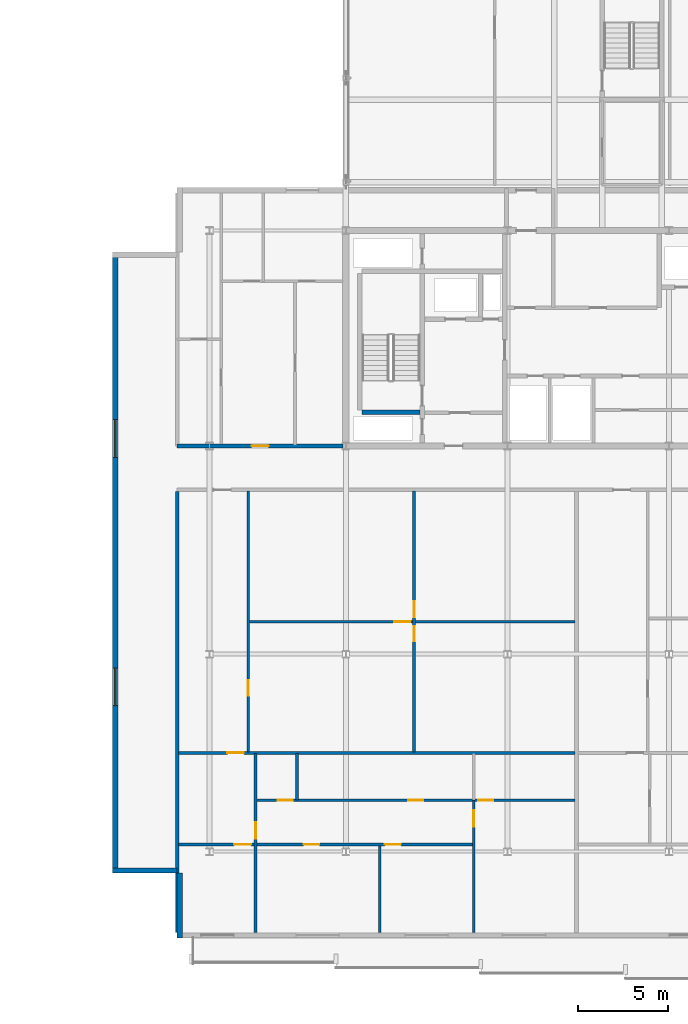
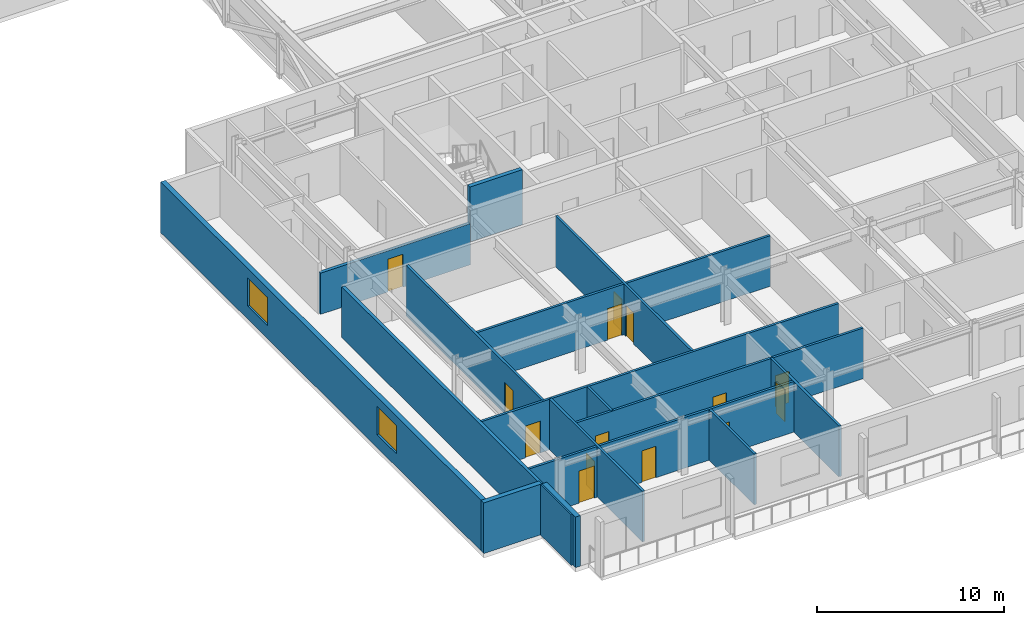
# One storey, part 17 of 36: 16 walls, 14 doors, 2 windows, 16 openings.
"""IFC4 building model written with IfcOpenShell, lengths in metres."""

from ifc_helpers import new_model, si_unit, direction, frame, frame_2d, origin, place, context, subcontext, project, spatial, rectangle, extrude, material, layer, layer_set, type_object, element, fill, save


model = new_model("IFC4")

# Units and contexts
model_context = context("Model", 3, precision=1e-05, world=origin(), true_north=direction((0.0, 1.0)))
body_context = subcontext(model_context, "Body", "Model", "MODEL_VIEW")
ifc_project = project(units=[si_unit("LENGTHUNIT", "METRE"), si_unit("AREAUNIT", "SQUARE_METRE"), si_unit("VOLUMEUNIT", "CUBIC_METRE"), si_unit("PLANEANGLEUNIT", "RADIAN"), si_unit("MASSUNIT", "GRAM", prefix="KILO")], contexts=[model_context])

# Site, building, storey
site_placement = place(None, origin())
site = spatial("IfcSite", under=ifc_project, at=site_placement, CompositionType="ELEMENT")
building_placement = place(site_placement, origin())
building = spatial("IfcBuilding", under=site, at=building_placement, Name="Korimba Cascade Residences", CompositionType="ELEMENT")
storey_placement = place(building_placement, frame((0.0, 0.0, 139.300048828125)))
storey = spatial("IfcBuildingStorey", under=building, at=storey_placement, Name="L40", CompositionType="ELEMENT", Elevation=139.300048828125)

# Wall, openings, windows
ifc_material_1 = material(Name="Precast concrete C40/50", Category="concrete")
ifc_layer_1 = layer(ifc_material_1, 0.300048828125)
ifc_layer_set_1 = layer_set([ifc_layer_1], Name="Precast concrete C40/50")
wall_type_1 = type_object("IfcWallType", Name="EW-STONE-300", PredefinedType="STANDARD", material=ifc_layer_set_1)
wall_1_placement = place(storey_placement, frame((69.25, 29.199951171875, 0.0), z_axis=(0.0, 0.0, 1.0), x_axis=(0.0, -1.0, 0.0)))
wall_1 = element("IfcWall", 1, at=wall_1_placement, inside=storey, type_object=wall_type_1, Name="L40 T2 Perimeter Stone Wall E09", PredefinedType="STANDARD", context=body_context, shape_type="SweptSolid", body=[
    extrude(rectangle(XDim=34.599853515625, YDim=0.300048828125, at=frame_2d((17.2998046875, 0.0))), origin(), (0.0, 0.0, 1.0), 3.31005859375),
])
opening_1_placement = place(wall_1_placement, frame((9.330078125, 0.0, 0.85009765625)))
opening_1 = element("IfcOpeningElement", 2, at=opening_1_placement, cuts=wall_1, Name="Opening W-03", PredefinedType="OPENING", context=body_context, shape_type="SweptSolid", body=[
    extrude(rectangle(XDim=2.10009765625, YDim=1.85009765625, at=frame_2d((1.050048828125, 0.925048828125))), frame((0.0, 0.16015625, 0.0), z_axis=(0.0, -1.0, 0.0), x_axis=(1.0, 0.0, 0.0)), (0.0, 0.0, 1.0), 0.320068359375),
])
opening_2_placement = place(wall_1_placement, frame((23.169921875, 0.0, 0.85009765625)))
opening_2 = element("IfcOpeningElement", 3, at=opening_2_placement, cuts=wall_1, Name="Opening W-03", PredefinedType="OPENING", context=body_context, shape_type="SweptSolid", body=[
    extrude(rectangle(XDim=2.10009765625, YDim=1.85009765625, at=frame_2d((1.050048828125, 0.925048828125))), frame((0.0, 0.16015625, 0.0), z_axis=(0.0, -1.0, 0.0), x_axis=(1.0, 0.0, 0.0)), (0.0, 0.0, 1.0), 0.320068359375),
])
ifc_material_2 = material(Name="Double-Glazed Aluminium Window", Category="aluminium")
window_type = type_object("IfcWindowType", Name="WIN-CRN-2100", PartitioningType="DOUBLE_PANEL_HORIZONTAL", PredefinedType="WINDOW", material=ifc_material_2)
window_1_placement = place(opening_1_placement, origin())
window_1 = element("IfcWindow", 4, at=window_1_placement, inside=storey, type_object=window_type, Name="L40 T2 End View Window 9.1", OverallHeight=1.85009765625, OverallWidth=2.10009765625, PartitioningType="DOUBLE_PANEL_HORIZONTAL", PredefinedType="WINDOW", context=body_context, shape_type="SweptSolid", body=[
    extrude(rectangle(XDim=2.10009765625, YDim=1.85009765625, at=frame_2d((1.050048828125, 0.925048828125))), frame((0.0, 0.030029296875, 0.0), z_axis=(0.0, -1.0, 0.0), x_axis=(1.0, 0.0, 0.0)), (0.0, 0.0, 1.0), 0.06005859375),
])
fill(opening_1, window_1)
window_2_placement = place(opening_2_placement, origin())
window_2 = element("IfcWindow", 5, at=window_2_placement, inside=storey, type_object=window_type, Name="L40 T2 End View Window 9.2", OverallHeight=1.85009765625, OverallWidth=2.10009765625, PartitioningType="DOUBLE_PANEL_HORIZONTAL", PredefinedType="WINDOW", context=body_context, shape_type="SweptSolid", body=[
    extrude(rectangle(XDim=2.10009765625, YDim=1.85009765625, at=frame_2d((1.050048828125, 0.925048828125))), frame((0.0, 0.030029296875, 0.0), z_axis=(0.0, -1.0, 0.0), x_axis=(1.0, 0.0, 0.0)), (0.0, 0.0, 1.0), 0.06005859375),
])
fill(opening_2, window_2)

# Walls
wall_2_placement = place(storey_placement, frame((69.10009765625, -5.25, 0.0), z_axis=(0.0, 0.0, 1.0), x_axis=(1.0, 0.0, 0.0)))
element("IfcWall", 6, at=wall_2_placement, inside=storey, type_object=wall_type_1, Name="L40 T2 Perimeter Stone Wall E10", PredefinedType="STANDARD", context=body_context, shape_type="SweptSolid", body=[
    extrude(rectangle(XDim=3.599853515625, YDim=0.300048828125, at=frame_2d((1.7998046875, 0.0))), origin(), (0.0, 0.0, 1.0), 3.31005859375),
])
wall_3_placement = place(storey_placement, frame((72.85009765625, -5.39990234375, 0.0), z_axis=(0.0, 0.0, 1.0), x_axis=(0.0, -1.0, 0.0)))
element("IfcWall", 7, at=wall_3_placement, inside=storey, type_object=wall_type_1, Name="L40 T2 Perimeter Stone Wall E11", PredefinedType="STANDARD", context=body_context, shape_type="SweptSolid", body=[
    extrude(rectangle(XDim=3.60009765625, YDim=0.300048828125, at=frame_2d((1.800048828125, 0.0))), origin(), (0.0, 0.0, 1.0), 3.31005859375),
])

# Wall, opening, door
ifc_layer_2 = layer(ifc_material_1, 0.199951171875)
ifc_layer_set_2 = layer_set([ifc_layer_2], Name="Precast concrete C40/50")
wall_type_2 = type_object("IfcWallType", Name="WAL-IT-200", PredefinedType="PARTITIONING", material=ifc_layer_set_2)
wall_4_placement = place(storey_placement, frame((72.699951171875, 18.39990234375, 0.0), z_axis=(0.0, 0.0, 1.0), x_axis=(1.0, 0.0, 0.0)))
wall_4 = element("IfcWall", 8, at=wall_4_placement, inside=storey, type_object=wall_type_2, Name="L40 Partition Wall WAL-L40-T2-FW-S", PredefinedType="PARTITIONING", context=body_context, shape_type="SweptSolid", body=[
    extrude(rectangle(XDim=9.25, YDim=0.199951171875, at=frame_2d((4.625, 0.0))), origin(), (0.0, 0.0, 1.0), 2.69775390625),
])
opening_3_placement = place(wall_4_placement, frame((4.14990234375, 0.0, 0.0)))
opening_3 = element("IfcOpeningElement", 9, at=opening_3_placement, cuts=wall_4, Name="Opening D-UN1", PredefinedType="OPENING", context=body_context, shape_type="SweptSolid", body=[
    extrude(rectangle(XDim=0.949951171875, YDim=2.14990234375, at=frame_2d((0.47509765625, 1.074951171875))), frame((0.0, 0.10986328125, 0.0), z_axis=(0.0, -1.0, 0.0), x_axis=(1.0, 0.0, 0.0)), (0.0, 0.0, 1.0), 0.219970703125),
])
ifc_material_3 = material(Name="Fire-Rated Hardwood Apartment Entrance Door", Category="wood")
door_type_1 = type_object("IfcDoorType", Name="DR-FD60-950", OperationType="NOTDEFINED", PredefinedType="DOOR", material=ifc_material_3)
door_1_placement = place(opening_3_placement, origin())
door_1 = element("IfcDoor", 10, at=door_1_placement, inside=storey, type_object=door_type_1, Name="L40-T2-FW Entrance Door", OperationType="SINGLE_SWING_LEFT", OverallHeight=2.14990234375, OverallWidth=0.949951171875, PredefinedType="DOOR", context=body_context, shape_type="SweptSolid", body=[
    extrude(rectangle(XDim=0.949951171875, YDim=2.14990234375, at=frame_2d((0.47509765625, 1.074951171875))), frame((0.0, 0.02490234375, 0.0), z_axis=(0.0, -1.0, 0.0), x_axis=(1.0, 0.0, 0.0)), (0.0, 0.0, 1.0), 0.050048828125),
])
fill(opening_3, door_1)

# Wall
wall_5_placement = place(storey_placement, frame((72.699951171875, -8.699951171875, 0.0), z_axis=(0.0, 0.0, 1.0), x_axis=(0.0, 1.0, 0.0)))
element("IfcWall", 11, at=wall_5_placement, inside=storey, type_object=wall_type_2, Name="L40 Partition Wall WAL-L40-T2-BNDWL", PredefinedType="PARTITIONING", context=body_context, shape_type="SweptSolid", body=[
    extrude(rectangle(XDim=24.570068359375, YDim=0.199951171875, at=frame_2d((12.28515625, 0.0))), origin(), (0.0, 0.0, 1.0), 3.31005859375),
])

# Wall, openings, doors
ifc_material_4 = material(Name="Insulated Acoustic Stud Partition", Category="gypsum")
ifc_layer_3 = layer(ifc_material_4, 0.14990234375)
ifc_layer_set_3 = layer_set([ifc_layer_3], Name="Insulated Acoustic Stud Partition")
wall_type_3 = type_object("IfcWallType", Name="WAL-PART-150", PredefinedType="PARTITIONING", material=ifc_layer_set_3)
wall_6_placement = place(storey_placement, frame((85.89990234375, 1.340087890625, 0.0), z_axis=(0.0, 0.0, 1.0), x_axis=(0.0, 1.0, 0.0)))
wall_6 = element("IfcWall", 12, at=wall_6_placement, inside=storey, type_object=wall_type_3, Name="L40 Partition Wall WAL-L40-T2-U01-FMV", PredefinedType="PARTITIONING", context=body_context, shape_type="SweptSolid", body=[
    extrude(rectangle(XDim=14.5498046875, YDim=0.14990234375, at=frame_2d((7.27490234375, 0.0))), origin(), (0.0, 0.0, 1.0), 3.31005859375),
])
opening_4_placement = place(wall_6_placement, frame((6.18505859375, 0.0, 0.0)))
opening_4 = element("IfcOpeningElement", 13, at=opening_4_placement, cuts=wall_6, Name="Opening D-BT1", PredefinedType="OPENING", context=body_context, shape_type="SweptSolid", body=[
    extrude(rectangle(XDim=0.840087890625, YDim=2.0400390625, at=frame_2d((0.419921875, 1.02001953125))), frame((0.0, 0.0849609375, 0.0), z_axis=(0.0, -1.0, 0.0), x_axis=(1.0, 0.0, 0.0)), (0.0, 0.0, 1.0), 0.169921875),
])
opening_5_placement = place(wall_6_placement, frame((7.52490234375, 0.0, 0.0)))
opening_5 = element("IfcOpeningElement", 14, at=opening_5_placement, cuts=wall_6, Name="Opening D-IN2", PredefinedType="OPENING", context=body_context, shape_type="SweptSolid", body=[
    extrude(rectangle(XDim=0.8798828125, YDim=2.06005859375, at=frame_2d((0.43994140625, 1.030029296875))), frame((0.0, 0.0849609375, 0.0), z_axis=(0.0, -1.0, 0.0), x_axis=(1.0, 0.0, 0.0)), (0.0, 0.0, 1.0), 0.169921875),
])
ifc_material_5 = material(Name="Moisture-Resistant Bathroom Timber Door", Category="wood")
door_type_2 = type_object("IfcDoorType", Name="DR-INT-850", OperationType="NOTDEFINED", PredefinedType="DOOR", material=ifc_material_5)
door_2_placement = place(opening_4_placement, origin())
door_2 = element("IfcDoor", 15, at=door_2_placement, inside=storey, type_object=door_type_2, Name="L40-T2-U01 Wardrobe Door", OperationType="SINGLE_SWING_RIGHT", OverallHeight=2.0400390625, OverallWidth=0.840087890625, PredefinedType="DOOR", context=body_context, shape_type="SweptSolid", body=[
    extrude(rectangle(XDim=0.840087890625, YDim=2.0400390625, at=frame_2d((0.419921875, 1.02001953125))), frame((0.0, 0.02490234375, 0.0), z_axis=(0.0, -1.0, 0.0), x_axis=(1.0, 0.0, 0.0)), (0.0, 0.0, 1.0), 0.050048828125),
])
fill(opening_4, door_2)
ifc_material_6 = material(Name="Acoustic Timber Bedroom Door", Category="wood")
door_type_3 = type_object("IfcDoorType", Name="DR-INT-880", OperationType="NOTDEFINED", PredefinedType="DOOR", material=ifc_material_6)
door_3_placement = place(opening_5_placement, origin())
door_3 = element("IfcDoor", 16, at=door_3_placement, inside=storey, type_object=door_type_3, Name="L40-T2-U01 Music Lounge Door", OperationType="SINGLE_SWING_LEFT", OverallHeight=2.06005859375, OverallWidth=0.8798828125, PredefinedType="DOOR", context=body_context, shape_type="SweptSolid", body=[
    extrude(rectangle(XDim=0.8798828125, YDim=2.06005859375, at=frame_2d((0.43994140625, 1.030029296875))), frame((0.0, 0.02490234375, 0.0), z_axis=(0.0, -1.0, 0.0), x_axis=(1.0, 0.0, 0.0)), (0.0, 0.0, 1.0), 0.050048828125),
])
fill(opening_5, door_3)

# Wall, opening, door
wall_7_placement = place(storey_placement, frame((76.72998046875, 8.614990234375, 0.0), z_axis=(0.0, 0.0, 1.0), x_axis=(1.0, 0.0, 0.0)))
wall_7 = element("IfcWall", 17, at=wall_7_placement, inside=storey, type_object=wall_type_3, Name="L40 Partition Wall WAL-L40-T2-U01-FMH", PredefinedType="PARTITIONING", context=body_context, shape_type="SweptSolid", body=[
    extrude(rectangle(XDim=18.14013671875, YDim=0.14990234375, at=frame_2d((9.070068359375, 0.0))), origin(), (0.0, 0.0, 1.0), 3.31005859375),
])
opening_6_placement = place(wall_7_placement, frame((8.070068359375, 0.0, 0.0)))
opening_6 = element("IfcOpeningElement", 18, at=opening_6_placement, cuts=wall_7, Name="Opening D-IN2", PredefinedType="OPENING", context=body_context, shape_type="SweptSolid", body=[
    extrude(rectangle(XDim=0.8798828125, YDim=2.06005859375, at=frame_2d((0.43994140625, 1.030029296875))), frame((0.0, 0.0849609375, 0.0), z_axis=(0.0, -1.0, 0.0), x_axis=(1.0, 0.0, 0.0)), (0.0, 0.0, 1.0), 0.169921875),
])
door_4_placement = place(opening_6_placement, origin())
door_4 = element("IfcDoor", 19, at=door_4_placement, inside=storey, type_object=door_type_3, Name="L40-T2-U01 Library Salon Door", OperationType="SINGLE_SWING_RIGHT", OverallHeight=2.06005859375, OverallWidth=0.8798828125, PredefinedType="DOOR", context=body_context, shape_type="SweptSolid", body=[
    extrude(rectangle(XDim=0.8798828125, YDim=2.06005859375, at=frame_2d((0.43994140625, 1.030029296875))), frame((0.0, 0.02490234375, 0.0), z_axis=(0.0, -1.0, 0.0), x_axis=(1.0, 0.0, 0.0)), (0.0, 0.0, 1.0), 0.050048828125),
])
fill(opening_6, door_4)

wall_8_placement = place(storey_placement, frame((76.669921875, 1.340087890625, 0.0), z_axis=(0.0, 0.0, 1.0), x_axis=(0.0, 1.0, 0.0)))
wall_8 = element("IfcWall", 20, at=wall_8_placement, inside=storey, type_object=wall_type_3, Name="L40 Partition Wall WAL-L40-T2-U01-FV", PredefinedType="PARTITIONING", context=body_context, shape_type="SweptSolid", body=[
    extrude(rectangle(XDim=14.5498046875, YDim=0.14990234375, at=frame_2d((7.27490234375, 0.0))), origin(), (0.0, 0.0, 1.0), 3.31005859375),
])
opening_7_placement = place(wall_8_placement, frame((3.131591796875, 0.0, 0.0)))
opening_7 = element("IfcOpeningElement", 21, at=opening_7_placement, cuts=wall_8, Name="Opening D-IN2", PredefinedType="OPENING", context=body_context, shape_type="SweptSolid", body=[
    extrude(rectangle(XDim=0.8798828125, YDim=2.06005859375, at=frame_2d((0.43994140625, 1.030029296875))), frame((0.0, 0.0849609375, 0.0), z_axis=(0.0, -1.0, 0.0), x_axis=(1.0, 0.0, 0.0)), (0.0, 0.0, 1.0), 0.169921875),
])
door_5_placement = place(opening_7_placement, origin())
door_5 = element("IfcDoor", 22, at=door_5_placement, inside=storey, type_object=door_type_3, Name="L40-T2-U01 Media Lounge Door", OperationType="SINGLE_SWING_LEFT", OverallHeight=2.06005859375, OverallWidth=0.8798828125, PredefinedType="DOOR", context=body_context, shape_type="SweptSolid", body=[
    extrude(rectangle(XDim=0.8798828125, YDim=2.06005859375, at=frame_2d((0.43994140625, 1.030029296875))), frame((0.0, 0.02490234375, 0.0), z_axis=(0.0, -1.0, 0.0), x_axis=(1.0, 0.0, 0.0)), (0.0, 0.0, 1.0), 0.050048828125),
])
fill(opening_7, door_5)

# Walls
wall_9_placement = place(storey_placement, frame((79.3798828125, -1.320068359375, 0.0), z_axis=(0.0, 0.0, 1.0), x_axis=(0.0, 1.0, 0.0)))
element("IfcWall", 23, at=wall_9_placement, inside=storey, type_object=wall_type_3, Name="L40 Partition Wall WAL-L40-T2-U01-VDRS", PredefinedType="PARTITIONING", context=body_context, shape_type="SweptSolid", body=[
    extrude(rectangle(XDim=2.580078125, YDim=0.14990234375, at=frame_2d((1.2900390625, 0.0))), origin(), (0.0, 0.0, 1.0), 3.31005859375),
])
wall_10_placement = place(storey_placement, frame((83.97998046875, -8.699951171875, 0.0), z_axis=(0.0, 0.0, 1.0), x_axis=(0.0, 1.0, 0.0)))
element("IfcWall", 24, at=wall_10_placement, inside=storey, type_object=wall_type_3, Name="L40 Partition Wall WAL-L40-T2-U01-VSTD", PredefinedType="PARTITIONING", context=body_context, shape_type="SweptSolid", body=[
    extrude(rectangle(XDim=4.820068359375, YDim=0.14990234375, at=frame_2d((2.41015625, 0.0))), origin(), (0.0, 0.0, 1.0), 3.31005859375),
])

# Wall, opening, door
wall_11_placement = place(storey_placement, frame((77.070068359375, -8.699951171875, 0.0), z_axis=(0.0, 0.0, 1.0), x_axis=(0.0, 1.0, 0.0)))
wall_11 = element("IfcWall", 25, at=wall_11_placement, inside=storey, type_object=wall_type_3, Name="L40 Partition Wall WAL-L40-T2-U01-V1", PredefinedType="PARTITIONING", context=body_context, shape_type="SweptSolid", body=[
    extrude(rectangle(XDim=9.9599609375, YDim=0.14990234375, at=frame_2d((4.97998046875, 0.0))), origin(), (0.0, 0.0, 1.0), 3.31005859375),
])
opening_8_placement = place(wall_11_placement, frame((5.219970703125, 0.0, 0.0)))
opening_8 = element("IfcOpeningElement", 26, at=opening_8_placement, cuts=wall_11, Name="Opening D-IN1", PredefinedType="OPENING", context=body_context, shape_type="SweptSolid", body=[
    extrude(rectangle(XDim=0.919921875, YDim=2.080078125, at=frame_2d((0.4599609375, 1.0400390625))), frame((0.0, 0.0849609375, 0.0), z_axis=(0.0, -1.0, 0.0), x_axis=(1.0, 0.0, 0.0)), (0.0, 0.0, 1.0), 0.169921875),
])
ifc_material_7 = material(Name="Acoustic Timber Living Door", Category="wood")
door_type_4 = type_object("IfcDoorType", Name="DR-INT-920", OperationType="NOTDEFINED", PredefinedType="DOOR", material=ifc_material_7)
door_6_placement = place(opening_8_placement, origin())
door_6 = element("IfcDoor", 27, at=door_6_placement, inside=storey, type_object=door_type_4, Name="L40-T2-U01 Hallway Door", OperationType="SINGLE_SWING_RIGHT", OverallHeight=2.080078125, OverallWidth=0.919921875, PredefinedType="DOOR", context=body_context, shape_type="SweptSolid", body=[
    extrude(rectangle(XDim=0.919921875, YDim=2.080078125, at=frame_2d((0.4599609375, 1.0400390625))), frame((0.0, 0.02490234375, 0.0), z_axis=(0.0, -1.0, 0.0), x_axis=(1.0, 0.0, 0.0)), (0.0, 0.0, 1.0), 0.050048828125),
])
fill(opening_8, door_6)

wall_12_placement = place(storey_placement, frame((89.219970703125, -8.699951171875, 0.0), z_axis=(0.0, 0.0, 1.0), x_axis=(0.0, 1.0, 0.0)))
wall_12 = element("IfcWall", 28, at=wall_12_placement, inside=storey, type_object=wall_type_3, Name="L40 Partition Wall WAL-L40-T2-U01-V2FULL", PredefinedType="PARTITIONING", context=body_context, shape_type="SweptSolid", body=[
    extrude(rectangle(XDim=7.33984375, YDim=0.14990234375, at=frame_2d((3.669921875, 0.0))), origin(), (0.0, 0.0, 1.0), 3.31005859375),
])
opening_9_placement = place(wall_12_placement, frame((5.896728515625, 0.0, 0.0)))
opening_9 = element("IfcOpeningElement", 29, at=opening_9_placement, cuts=wall_12, Name="Opening D-IN1", PredefinedType="OPENING", context=body_context, shape_type="SweptSolid", body=[
    extrude(rectangle(XDim=0.919921875, YDim=2.080078125, at=frame_2d((0.4599609375, 1.0400390625))), frame((0.0, 0.0849609375, 0.0), z_axis=(0.0, -1.0, 0.0), x_axis=(1.0, 0.0, 0.0)), (0.0, 0.0, 1.0), 0.169921875),
])
door_7_placement = place(opening_9_placement, origin())
door_7 = element("IfcDoor", 30, at=door_7_placement, inside=storey, type_object=door_type_4, Name="L40-T2-U01 Master Bedroom Door", OperationType="SINGLE_SWING_LEFT", OverallHeight=2.080078125, OverallWidth=0.919921875, PredefinedType="DOOR", context=body_context, shape_type="SweptSolid", body=[
    extrude(rectangle(XDim=0.919921875, YDim=2.080078125, at=frame_2d((0.4599609375, 1.0400390625))), frame((0.0, 0.02490234375, 0.0), z_axis=(0.0, -1.0, 0.0), x_axis=(1.0, 0.0, 0.0)), (0.0, 0.0, 1.0), 0.050048828125),
])
fill(opening_9, door_7)

# Wall, openings, doors
wall_13_placement = place(storey_placement, frame((77.110107421875, -1.340087890625, 0.0), z_axis=(0.0, 0.0, 1.0), x_axis=(1.0, 0.0, 0.0)))
wall_13 = element("IfcWall", 31, at=wall_13_placement, inside=storey, type_object=wall_type_3, Name="L40 Partition Wall WAL-L40-T2-U01-HWALL", PredefinedType="PARTITIONING", context=body_context, shape_type="SweptSolid", body=[
    extrude(rectangle(XDim=17.760009765625, YDim=0.14990234375, at=frame_2d((8.8798828125, 0.0))), origin(), (0.0, 0.0, 1.0), 3.31005859375),
])
opening_10_placement = place(wall_13_placement, frame((1.19091796875, 0.0, 0.0)))
opening_10 = element("IfcOpeningElement", 32, at=opening_10_placement, cuts=wall_13, Name="Opening D-BT1", PredefinedType="OPENING", context=body_context, shape_type="SweptSolid", body=[
    extrude(rectangle(XDim=0.840087890625, YDim=2.0400390625, at=frame_2d((0.419921875, 1.02001953125))), frame((0.0, 0.0849609375, 0.0), z_axis=(0.0, -1.0, 0.0), x_axis=(1.0, 0.0, 0.0)), (0.0, 0.0, 1.0), 0.169921875),
])
opening_11_placement = place(wall_13_placement, frame((8.4599609375, 0.0, 0.0)))
opening_11 = element("IfcOpeningElement", 33, at=opening_11_placement, cuts=wall_13, Name="Opening D-BT1", PredefinedType="OPENING", context=body_context, shape_type="SweptSolid", body=[
    extrude(rectangle(XDim=0.840087890625, YDim=2.0400390625, at=frame_2d((0.419921875, 1.02001953125))), frame((0.0, 0.0849609375, 0.0), z_axis=(0.0, -1.0, 0.0), x_axis=(1.0, 0.0, 0.0)), (0.0, 0.0, 1.0), 0.169921875),
])
opening_12_placement = place(wall_13_placement, frame((12.360107421875, 0.0, 0.0)))
opening_12 = element("IfcOpeningElement", 34, at=opening_12_placement, cuts=wall_13, Name="Opening D-BT1", PredefinedType="OPENING", context=body_context, shape_type="SweptSolid", body=[
    extrude(rectangle(XDim=0.840087890625, YDim=2.0400390625, at=frame_2d((0.419921875, 1.02001953125))), frame((0.0, 0.0849609375, 0.0), z_axis=(0.0, -1.0, 0.0), x_axis=(1.0, 0.0, 0.0)), (0.0, 0.0, 1.0), 0.169921875),
])
door_8_placement = place(opening_10_placement, origin())
door_8 = element("IfcDoor", 35, at=door_8_placement, inside=storey, type_object=door_type_2, Name="L40-T2-U01 Family Bathroom Door", OperationType="SINGLE_SWING_RIGHT", OverallHeight=2.0400390625, OverallWidth=0.840087890625, PredefinedType="DOOR", context=body_context, shape_type="SweptSolid", body=[
    extrude(rectangle(XDim=0.840087890625, YDim=2.0400390625, at=frame_2d((0.419921875, 1.02001953125))), frame((0.0, 0.02490234375, 0.0), z_axis=(0.0, -1.0, 0.0), x_axis=(1.0, 0.0, 0.0)), (0.0, 0.0, 1.0), 0.050048828125),
])
fill(opening_10, door_8)
door_9_placement = place(opening_11_placement, origin())
door_9 = element("IfcDoor", 36, at=door_9_placement, inside=storey, type_object=door_type_2, Name="L40-T2-U01 Dressing Room Door", OperationType="SINGLE_SWING_LEFT", OverallHeight=2.0400390625, OverallWidth=0.840087890625, PredefinedType="DOOR", context=body_context, shape_type="SweptSolid", body=[
    extrude(rectangle(XDim=0.840087890625, YDim=2.0400390625, at=frame_2d((0.419921875, 1.02001953125))), frame((0.0, 0.02490234375, 0.0), z_axis=(0.0, -1.0, 0.0), x_axis=(1.0, 0.0, 0.0)), (0.0, 0.0, 1.0), 0.050048828125),
])
fill(opening_11, door_9)
door_10_placement = place(opening_12_placement, origin())
door_10 = element("IfcDoor", 37, at=door_10_placement, inside=storey, type_object=door_type_2, Name="L40-T2-U01 En-Suite Door", OperationType="SINGLE_SWING_RIGHT", OverallHeight=2.0400390625, OverallWidth=0.840087890625, PredefinedType="DOOR", context=body_context, shape_type="SweptSolid", body=[
    extrude(rectangle(XDim=0.840087890625, YDim=2.0400390625, at=frame_2d((0.419921875, 1.02001953125))), frame((0.0, 0.02490234375, 0.0), z_axis=(0.0, -1.0, 0.0), x_axis=(1.0, 0.0, 0.0)), (0.0, 0.0, 1.0), 0.050048828125),
])
fill(opening_12, door_10)

# Wall, opening, door
wall_14_placement = place(storey_placement, frame((72.780029296875, 1.300048828125, 0.0), z_axis=(0.0, 0.0, 1.0), x_axis=(1.0, 0.0, 0.0)))
wall_14 = element("IfcWall", 38, at=wall_14_placement, inside=storey, type_object=wall_type_3, Name="L40 Partition Wall WAL-L40-T2-U01-MW", PredefinedType="PARTITIONING", context=body_context, shape_type="SweptSolid", body=[
    extrude(rectangle(XDim=22.090087890625, YDim=0.14990234375, at=frame_2d((11.044921875, 0.0))), origin(), (0.0, 0.0, 1.0), 3.31005859375),
])
opening_13_placement = place(wall_14_placement, frame((2.719970703125, 0.0, 0.0)))
opening_13 = element("IfcOpeningElement", 39, at=opening_13_placement, cuts=wall_14, Name="Opening D-IN1", PredefinedType="OPENING", context=body_context, shape_type="SweptSolid", body=[
    extrude(rectangle(XDim=0.919921875, YDim=2.080078125, at=frame_2d((0.4599609375, 1.0400390625))), frame((0.0, 0.0849609375, 0.0), z_axis=(0.0, -1.0, 0.0), x_axis=(1.0, 0.0, 0.0)), (0.0, 0.0, 1.0), 0.169921875),
])
door_11_placement = place(opening_13_placement, origin())
door_11 = element("IfcDoor", 40, at=door_11_placement, inside=storey, type_object=door_type_4, Name="L40-T2-U01 Kitchen Door", OperationType="SINGLE_SWING_LEFT", OverallHeight=2.080078125, OverallWidth=0.919921875, PredefinedType="DOOR", context=body_context, shape_type="SweptSolid", body=[
    extrude(rectangle(XDim=0.919921875, YDim=2.080078125, at=frame_2d((0.4599609375, 1.0400390625))), frame((0.0, 0.02490234375, 0.0), z_axis=(0.0, -1.0, 0.0), x_axis=(1.0, 0.0, 0.0)), (0.0, 0.0, 1.0), 0.050048828125),
])
fill(opening_13, door_11)

# Wall, openings, doors
wall_15_placement = place(storey_placement, frame((72.780029296875, -3.800048828125, 0.0), z_axis=(0.0, 0.0, 1.0), x_axis=(1.0, 0.0, 0.0)))
wall_15 = element("IfcWall", 41, at=wall_15_placement, inside=storey, type_object=wall_type_3, Name="L40 Partition Wall WAL-L40-T2-U01-HZ", PredefinedType="PARTITIONING", context=body_context, shape_type="SweptSolid", body=[
    extrude(rectangle(XDim=16.43994140625, YDim=0.14990234375, at=frame_2d((8.219970703125, 0.0))), origin(), (0.0, 0.0, 1.0), 3.31005859375),
])
opening_14_placement = place(wall_15_placement, frame((3.10009765625, 0.0, 0.0)))
opening_14 = element("IfcOpeningElement", 42, at=opening_14_placement, cuts=wall_15, Name="Opening D-IN0", PredefinedType="OPENING", context=body_context, shape_type="SweptSolid", body=[
    extrude(rectangle(XDim=0.93994140625, YDim=2.10009765625, at=frame_2d((0.469970703125, 1.050048828125))), frame((0.0, 0.0849609375, 0.0), z_axis=(0.0, -1.0, 0.0), x_axis=(1.0, 0.0, 0.0)), (0.0, 0.0, 1.0), 0.169921875),
])
opening_15_placement = place(wall_15_placement, frame((6.969482421875, 0.0, 0.0)))
opening_15 = element("IfcOpeningElement", 43, at=opening_15_placement, cuts=wall_15, Name="Opening D-IN2", PredefinedType="OPENING", context=body_context, shape_type="SweptSolid", body=[
    extrude(rectangle(XDim=0.8798828125, YDim=2.06005859375, at=frame_2d((0.43994140625, 1.030029296875))), frame((0.0, 0.0849609375, 0.0), z_axis=(0.0, -1.0, 0.0), x_axis=(1.0, 0.0, 0.0)), (0.0, 0.0, 1.0), 0.169921875),
])
opening_16_placement = place(wall_15_placement, frame((11.498291015625, 0.0, 0.0)))
opening_16 = element("IfcOpeningElement", 44, at=opening_16_placement, cuts=wall_15, Name="Opening D-IN2", PredefinedType="OPENING", context=body_context, shape_type="SweptSolid", body=[
    extrude(rectangle(XDim=0.8798828125, YDim=2.06005859375, at=frame_2d((0.43994140625, 1.030029296875))), frame((0.0, 0.0849609375, 0.0), z_axis=(0.0, -1.0, 0.0), x_axis=(1.0, 0.0, 0.0)), (0.0, 0.0, 1.0), 0.169921875),
])
door_12_placement = place(opening_15_placement, origin())
door_12 = element("IfcDoor", 45, at=door_12_placement, inside=storey, type_object=door_type_3, Name="L40-T2-U01 Bedroom 2 Door", OperationType="SINGLE_SWING_LEFT", OverallHeight=2.06005859375, OverallWidth=0.8798828125, PredefinedType="DOOR", context=body_context, shape_type="SweptSolid", body=[
    extrude(rectangle(XDim=0.8798828125, YDim=2.06005859375, at=frame_2d((0.43994140625, 1.030029296875))), frame((0.0, 0.02490234375, 0.0), z_axis=(0.0, -1.0, 0.0), x_axis=(1.0, 0.0, 0.0)), (0.0, 0.0, 1.0), 0.050048828125),
])
fill(opening_15, door_12)
door_13_placement = place(opening_16_placement, origin())
door_13 = element("IfcDoor", 46, at=door_13_placement, inside=storey, type_object=door_type_3, Name="L40-T2-U01 Study Door", OperationType="SINGLE_SWING_RIGHT", OverallHeight=2.06005859375, OverallWidth=0.8798828125, PredefinedType="DOOR", context=body_context, shape_type="SweptSolid", body=[
    extrude(rectangle(XDim=0.8798828125, YDim=2.06005859375, at=frame_2d((0.43994140625, 1.030029296875))), frame((0.0, 0.02490234375, 0.0), z_axis=(0.0, -1.0, 0.0), x_axis=(1.0, 0.0, 0.0)), (0.0, 0.0, 1.0), 0.050048828125),
])
fill(opening_16, door_13)
ifc_material_8 = material(Name="Acoustic Timber Living Archway Door", Category="wood")
door_type_5 = type_object("IfcDoorType", Name="DR-INT-950", OperationType="NOTDEFINED", PredefinedType="DOOR", material=ifc_material_8)
door_14_placement = place(opening_14_placement, origin())
door_14 = element("IfcDoor", 47, at=door_14_placement, inside=storey, type_object=door_type_5, Name="L40-T2-U01 Living Room Door", OperationType="SINGLE_SWING_RIGHT", OverallHeight=2.10009765625, OverallWidth=0.93994140625, PredefinedType="DOOR", context=body_context, shape_type="SweptSolid", body=[
    extrude(rectangle(XDim=0.93994140625, YDim=2.10009765625, at=frame_2d((0.469970703125, 1.050048828125))), frame((0.0, 0.02490234375, 0.0), z_axis=(0.0, -1.0, 0.0), x_axis=(1.0, 0.0, 0.0)), (0.0, 0.0, 1.0), 0.050048828125),
])
fill(opening_14, door_14)

# Wall
ifc_material_9 = material(Name="Concrete C50/60", Category="concrete")
ifc_layer_4 = layer(ifc_material_9, 0.25)
ifc_layer_set_4 = layer_set([ifc_layer_4], Name="Concrete C50/60")
wall_type_4 = type_object("IfcWallType", Name="WAL-SHAFT-250", PredefinedType="SHEAR", material=ifc_layer_set_4)
wall_16_placement = place(storey_placement, frame((83.0, 20.27490234375, 0.0), z_axis=(0.0, 0.0, 1.0), x_axis=(1.0, 0.0, 0.0)))
element("IfcWall", 48, at=wall_16_placement, inside=storey, type_object=wall_type_4, Name="L40 Core Shear Wall CW-L40-T2-STE1S", PredefinedType="SHEAR", context=body_context, shape_type="SweptSolid", body=[
    extrude(rectangle(XDim=3.239990234375, YDim=0.25, at=frame_2d((1.6201171875, 0.0))), origin(), (0.0, 0.0, 1.0), 3.599853515625),
])

save(model, "model.ifc")
